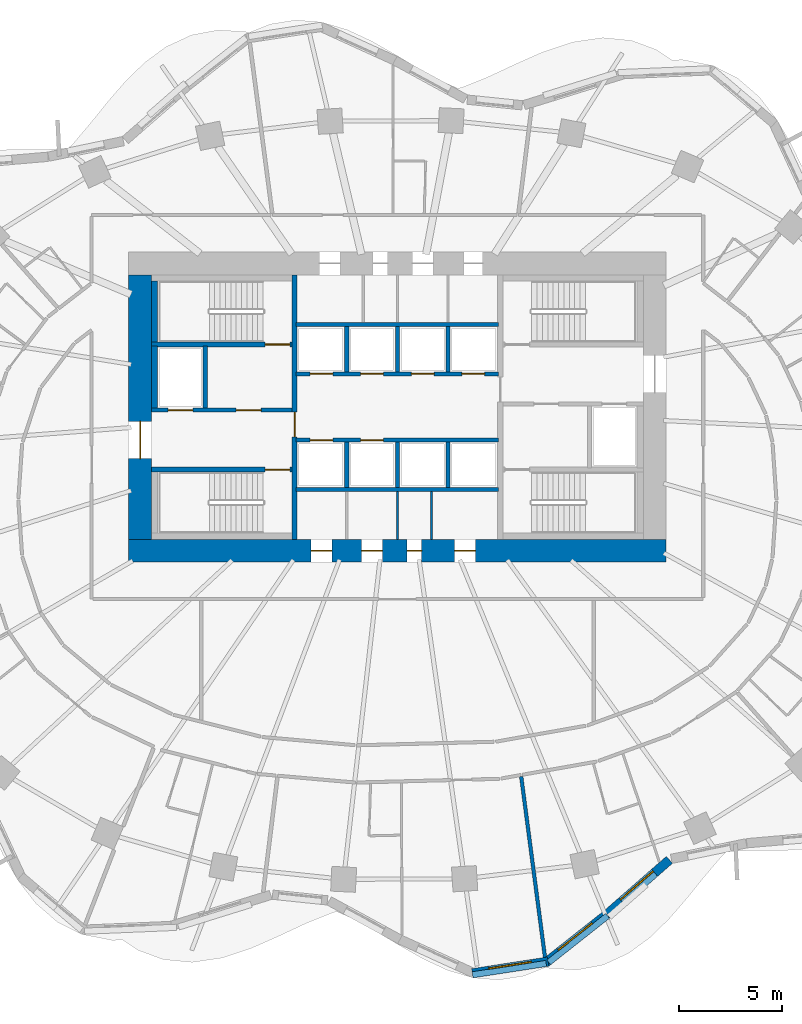
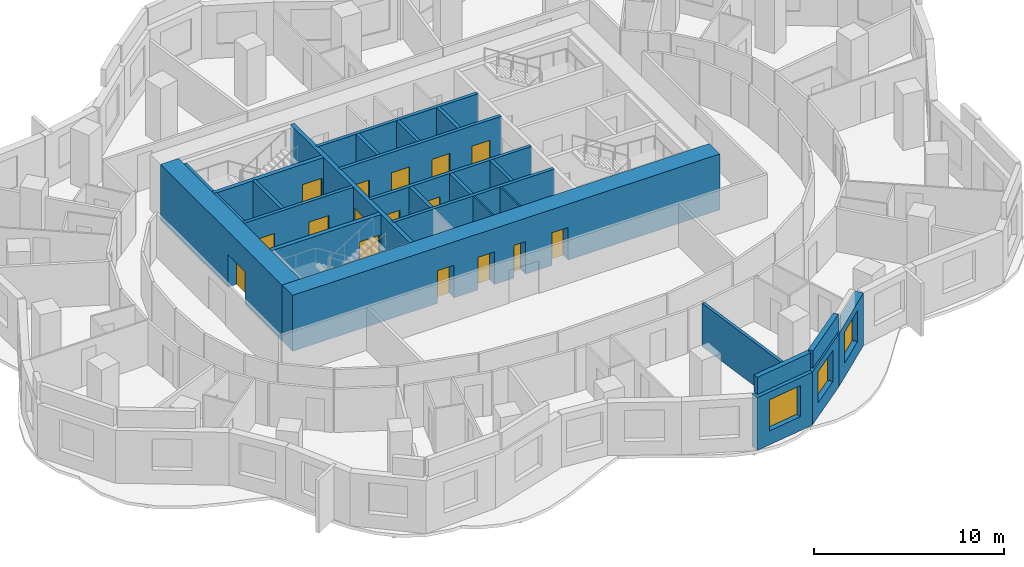
# One storey, part 5 of 11: 27 walls, 16 doors, 3 windows, 19 openings.
"""IFC4 building model written with IfcOpenShell, lengths in metres."""

from ifc_helpers import new_model, si_unit, direction, frame, frame_2d, origin, place, context, subcontext, project, spatial, rectangle, extrude, material, layer, layer_set, type_object, element, fill, save


model = new_model("IFC4")

# Units and contexts
model_context = context("Model", 3, precision=1e-05, world=origin(), true_north=direction((0.0, 1.0)))
body_context = subcontext(model_context, "Body", "Model", "MODEL_VIEW")
ifc_project = project(units=[si_unit("LENGTHUNIT", "METRE"), si_unit("AREAUNIT", "SQUARE_METRE"), si_unit("VOLUMEUNIT", "CUBIC_METRE"), si_unit("PLANEANGLEUNIT", "RADIAN"), si_unit("MASSUNIT", "GRAM", prefix="KILO")], contexts=[model_context])

# Site, building, storey
site_placement = place(None, origin())
site = spatial("IfcSite", under=ifc_project, at=site_placement, CompositionType="ELEMENT")
building_placement = place(site_placement, origin())
building = spatial("IfcBuilding", under=site, at=building_placement, Name="Rubra Terraces Tower", CompositionType="ELEMENT")
storey_placement = place(building_placement, frame((0.0, 0.0, 114.0)))
storey = spatial("IfcBuildingStorey", under=building, at=storey_placement, Name="L27", CompositionType="ELEMENT", Elevation=114.0)

# Wall
ifc_material_1 = material(Name="Twin plasterboard on staggered steel stud, acoustic mineral wool", Category="steel")
ifc_layer_1 = layer(ifc_material_1, 0.175048828125)
ifc_layer_set_1 = layer_set([ifc_layer_1], Name="Twin plasterboard on staggered steel stud, acoustic mineral wool")
wall_type_1 = type_object("IfcWallType", Name="ACOUSTIC PARTY WALL 175", PredefinedType="PARTITIONING", material=ifc_layer_set_1)
wall_1_placement = place(storey_placement, frame((7.1435546875, -22.129638671875, 0.0), z_axis=(0.0, 0.0, 1.0), x_axis=(-0.13045236501, 0.991454578114, 0.0)))
element("IfcWall", 1, at=wall_1_placement, inside=storey, type_object=wall_type_1, Name="PARTITION", PredefinedType="PARTITIONING", context=body_context, shape_type="SweptSolid", body=[
    extrude(rectangle(XDim=8.822265625, YDim=0.175048828125, at=frame_2d((4.4111328125, 0.0))), origin(), (0.0, 0.0, 1.0), 2.783935546875),
])

# Wall, opening, window
ifc_material_2 = material(Name="Brick masonry red-brown", Category="masonry")
ifc_layer_2 = layer(ifc_material_2, 0.449951171875)
ifc_layer_set_2 = layer_set([ifc_layer_2], Name="Brick masonry red-brown")
wall_type_2 = type_object("IfcWallType", Name="Brick facade wall 450", PredefinedType="SOLIDWALL", material=ifc_layer_set_2)
wall_2_placement = place(storey_placement, frame((3.628662109375, -22.904541015625, 0.0), z_axis=(0.0, 0.0, 1.0), x_axis=(0.988300084321, 0.152521943772, 0.0)))
wall_2 = element("IfcWall", 2, at=wall_2_placement, inside=storey, type_object=wall_type_2, Name="Facade wall L27 bay 32", PredefinedType="SOLIDWALL", context=body_context, shape_type="SweptSolid", body=[
    extrude(rectangle(XDim=3.71044921875, YDim=0.449951171875, at=frame_2d((1.855224609375, 0.0))), origin(), (0.0, 0.0, 1.0), 3.39990234375),
])
opening_1_placement = place(wall_2_placement, frame((0.80517578125, 0.0, 0.89990234375)))
opening_1 = element("IfcOpeningElement", 3, at=opening_1_placement, cuts=wall_2, Name="Opening W1", PredefinedType="OPENING", context=body_context, shape_type="SweptSolid", body=[
    extrude(rectangle(XDim=2.10009765625, YDim=2.0, at=frame_2d((1.050048828125, 1.0))), frame((0.0, 0.23486328125, 0.0), z_axis=(0.0, -1.0, 0.0), x_axis=(1.0, 0.0, 0.0)), (0.0, 0.0, 1.0), 0.469970703125),
])
ifc_material_3 = material(Name="Clear glass in aluminium frame", Category="aluminium")
window_type = type_object("IfcWindowType", Name="Fixed deep-set window 2100 x 2000", PartitioningType="SINGLE_PANEL", PredefinedType="WINDOW", material=ifc_material_3)
window_1_placement = place(opening_1_placement, origin())
window_1 = element("IfcWindow", 4, at=window_1_placement, inside=storey, type_object=window_type, Name="Window L27 bay 32", OverallHeight=2.0, OverallWidth=2.10009765625, PartitioningType="SINGLE_PANEL", PredefinedType="WINDOW", context=body_context, shape_type="SweptSolid", body=[
    extrude(rectangle(XDim=2.10009765625, YDim=2.0, at=frame_2d((1.050048828125, 1.0))), frame((0.0, 0.135009765625, 0.0), z_axis=(0.0, -1.0, 0.0), x_axis=(1.0, 0.0, 0.0)), (0.0, 0.0, 1.0), 0.06005859375),
])
fill(opening_1, window_1)

wall_3_placement = place(storey_placement, frame((7.192626953125, -22.3828125, 0.0), z_axis=(0.0, 0.0, 1.0), x_axis=(0.784803291184, 0.619744942816, 0.0)))
wall_3 = element("IfcWall", 5, at=wall_3_placement, inside=storey, type_object=wall_type_2, Name="Facade wall L27 bay 33", PredefinedType="SOLIDWALL", context=body_context, shape_type="SweptSolid", body=[
    extrude(rectangle(XDim=3.774658203125, YDim=0.449951171875, at=frame_2d((1.88720703125, 0.0))), origin(), (0.0, 0.0, 1.0), 3.39990234375),
])
opening_2_placement = place(wall_3_placement, frame((0.83740234375, 0.0, 0.89990234375)))
opening_2 = element("IfcOpeningElement", 6, at=opening_2_placement, cuts=wall_3, Name="Opening W1", PredefinedType="OPENING", context=body_context, shape_type="SweptSolid", body=[
    extrude(rectangle(XDim=2.10009765625, YDim=2.0, at=frame_2d((1.050048828125, 1.0))), frame((0.0, 0.23486328125, 0.0), z_axis=(0.0, -1.0, 0.0), x_axis=(1.0, 0.0, 0.0)), (0.0, 0.0, 1.0), 0.469970703125),
])
window_2_placement = place(opening_2_placement, origin())
window_2 = element("IfcWindow", 7, at=window_2_placement, inside=storey, type_object=window_type, Name="Window L27 bay 33", OverallHeight=2.0, OverallWidth=2.10009765625, PartitioningType="SINGLE_PANEL", PredefinedType="WINDOW", context=body_context, shape_type="SweptSolid", body=[
    extrude(rectangle(XDim=2.10009765625, YDim=2.0, at=frame_2d((1.050048828125, 1.0))), frame((0.0, 0.135009765625, 0.0), z_axis=(0.0, -1.0, 0.0), x_axis=(1.0, 0.0, 0.0)), (0.0, 0.0, 1.0), 0.06005859375),
])
fill(opening_2, window_2)

wall_4_placement = place(storey_placement, frame((10.146484375, -20.050537109375, 0.0), z_axis=(0.0, 0.0, 1.0), x_axis=(0.753278140428, 0.657702093013, 0.0)))
wall_4 = element("IfcWall", 8, at=wall_4_placement, inside=storey, type_object=wall_type_2, Name="Facade wall L27 bay 34", PredefinedType="SOLIDWALL", context=body_context, shape_type="SweptSolid", body=[
    extrude(rectangle(XDim=4.0078125, YDim=0.449951171875, at=frame_2d((2.00390625, 0.0))), origin(), (0.0, 0.0, 1.0), 3.39990234375),
])
opening_3_placement = place(wall_4_placement, frame((0.9541015625, 0.0, 0.89990234375)))
opening_3 = element("IfcOpeningElement", 9, at=opening_3_placement, cuts=wall_4, Name="Opening W1", PredefinedType="OPENING", context=body_context, shape_type="SweptSolid", body=[
    extrude(rectangle(XDim=2.10009765625, YDim=2.0, at=frame_2d((1.050048828125, 1.0))), frame((0.0, 0.23486328125, 0.0), z_axis=(0.0, -1.0, 0.0), x_axis=(1.0, 0.0, 0.0)), (0.0, 0.0, 1.0), 0.469970703125),
])
window_3_placement = place(opening_3_placement, origin())
window_3 = element("IfcWindow", 10, at=window_3_placement, inside=storey, type_object=window_type, Name="Window L27 bay 34", OverallHeight=2.0, OverallWidth=2.10009765625, PartitioningType="SINGLE_PANEL", PredefinedType="WINDOW", context=body_context, shape_type="SweptSolid", body=[
    extrude(rectangle(XDim=2.10009765625, YDim=2.0, at=frame_2d((1.050048828125, 1.0))), frame((0.0, 0.135009765625, 0.0), z_axis=(0.0, -1.0, 0.0), x_axis=(1.0, 0.0, 0.0)), (0.0, 0.0, 1.0), 0.06005859375),
])
fill(opening_3, window_3)

# Walls
ifc_layer_3 = layer(ifc_material_2, 0.300048828125)
ifc_layer_set_3 = layer_set([ifc_layer_3], Name="Brick masonry red-brown")
wall_type_3 = type_object("IfcWallType", Name="Brick parapet 300", PredefinedType="PARAPET", material=ifc_layer_set_3)
wall_5_placement = place(storey_placement, frame((3.64013671875, -22.978759765625, 3.60009765625), z_axis=(0.0, 0.0, 1.0), x_axis=(0.988299486994, 0.152525814235, 0.0)))
element("IfcWall", 11, at=wall_5_placement, inside=storey, type_object=wall_type_3, Name="Parapet L27 bay 32", PredefinedType="PARAPET", context=body_context, shape_type="SweptSolid", body=[
    extrude(rectangle(XDim=3.6015625, YDim=0.300048828125, at=frame_2d((1.80078125, 0.0))), origin(), (0.0, 0.0, 1.0), 1.099853515625),
])
wall_6_placement = place(storey_placement, frame((7.322509765625, -22.375732421875, 3.60009765625), z_axis=(0.0, 0.0, 1.0), x_axis=(0.784819122577, 0.61972489448, 0.0)))
element("IfcWall", 12, at=wall_6_placement, inside=storey, type_object=wall_type_3, Name="Parapet L27 bay 33", PredefinedType="PARAPET", context=body_context, shape_type="SweptSolid", body=[
    extrude(rectangle(XDim=3.63330078125, YDim=0.300048828125, at=frame_2d((1.816650390625, 0.0))), origin(), (0.0, 0.0, 1.0), 1.099853515625),
])

# Wall, openings, doors
ifc_material_4 = material(Name="Concrete C60", Category="concrete")
ifc_layer_4 = layer(ifc_material_4, 1.10009765625)
ifc_layer_set_4 = layer_set([ifc_layer_4], Name="Concrete C60")
wall_type_4 = type_object("IfcWallType", Name="CORE WALL 1100 C60", PredefinedType="SHEAR", material=ifc_layer_set_4)
wall_7_placement = place(storey_placement, frame((-13.0, -2.449951171875, 0.0), z_axis=(0.0, 0.0, 1.0), x_axis=(1.0, 0.0, 0.0)))
wall_7 = element("IfcWall", 13, at=wall_7_placement, inside=storey, type_object=wall_type_4, Name="CORE WALL S L27", PredefinedType="SHEAR", context=body_context, shape_type="SweptSolid", body=[
    extrude(rectangle(XDim=26.0, YDim=1.10009765625, at=frame_2d((13.0, 0.0))), origin(), (0.0, 0.0, 1.0), 3.60009765625),
])
opening_4_placement = place(wall_7_placement, frame((8.824951171875, 0.0, 0.0)))
opening_4 = element("IfcOpeningElement", 14, at=opening_4_placement, cuts=wall_7, Name="Opening L27.C19", PredefinedType="OPENING", context=body_context, shape_type="SweptSolid", body=[
    extrude(rectangle(XDim=1.0, YDim=2.10009765625, at=frame_2d((0.5, 1.050048828125))), frame((0.0, 0.56005859375, 0.0), z_axis=(0.0, -1.0, 0.0), x_axis=(1.0, 0.0, 0.0)), (0.0, 0.0, 1.0), 1.1201171875),
])
opening_5_placement = place(wall_7_placement, frame((11.27490234375, 0.0, 0.0)))
opening_5 = element("IfcOpeningElement", 15, at=opening_5_placement, cuts=wall_7, Name="Opening L27.C20", PredefinedType="OPENING", context=body_context, shape_type="SweptSolid", body=[
    extrude(rectangle(XDim=1.0, YDim=2.10009765625, at=frame_2d((0.5, 1.050048828125))), frame((0.0, 0.56005859375, 0.0), z_axis=(0.0, -1.0, 0.0), x_axis=(1.0, 0.0, 0.0)), (0.0, 0.0, 1.0), 1.1201171875),
])
opening_6_placement = place(wall_7_placement, frame((13.47509765625, 0.0, 0.0)))
opening_6 = element("IfcOpeningElement", 16, at=opening_6_placement, cuts=wall_7, Name="Opening L27.C21", PredefinedType="OPENING", context=body_context, shape_type="SweptSolid", body=[
    extrude(rectangle(XDim=0.699951171875, YDim=2.10009765625, at=frame_2d((0.35009765625, 1.050048828125))), frame((0.0, 0.56005859375, 0.0), z_axis=(0.0, -1.0, 0.0), x_axis=(1.0, 0.0, 0.0)), (0.0, 0.0, 1.0), 1.1201171875),
])
opening_7_placement = place(wall_7_placement, frame((15.77490234375, 0.0, 0.0)))
opening_7 = element("IfcOpeningElement", 17, at=opening_7_placement, cuts=wall_7, Name="Opening L27.C22", PredefinedType="OPENING", context=body_context, shape_type="SweptSolid", body=[
    extrude(rectangle(XDim=1.0, YDim=2.10009765625, at=frame_2d((0.5, 1.050048828125))), frame((0.0, 0.56005859375, 0.0), z_axis=(0.0, -1.0, 0.0), x_axis=(1.0, 0.0, 0.0)), (0.0, 0.0, 1.0), 1.1201171875),
])
ifc_material_5 = material(Name="Painted steel", Category="steel")
door_type_1 = type_object("IfcDoorType", Name="Fire door 1000x2100 single", OperationType="NOTDEFINED", PredefinedType="DOOR", material=ifc_material_5)
door_1_placement = place(opening_4_placement, origin())
door_1 = element("IfcDoor", 18, at=door_1_placement, inside=storey, type_object=door_type_1, Name="Guest pantry door", OperationType="SINGLE_SWING_LEFT", OverallHeight=2.10009765625, OverallWidth=1.0, PredefinedType="DOOR", context=body_context, shape_type="SweptSolid", body=[
    extrude(rectangle(XDim=1.0, YDim=2.10009765625, at=frame_2d((0.5, 1.050048828125))), frame((0.0, 0.02490234375, 0.0), z_axis=(0.0, -1.0, 0.0), x_axis=(1.0, 0.0, 0.0)), (0.0, 0.0, 1.0), 0.050048828125),
])
fill(opening_4, door_1)
door_2_placement = place(opening_5_placement, origin())
door_2 = element("IfcDoor", 19, at=door_2_placement, inside=storey, type_object=door_type_1, Name="Linen store door", OperationType="SINGLE_SWING_RIGHT", OverallHeight=2.10009765625, OverallWidth=1.0, PredefinedType="DOOR", context=body_context, shape_type="SweptSolid", body=[
    extrude(rectangle(XDim=1.0, YDim=2.10009765625, at=frame_2d((0.5, 1.050048828125))), frame((0.0, 0.02490234375, 0.0), z_axis=(0.0, -1.0, 0.0), x_axis=(1.0, 0.0, 0.0)), (0.0, 0.0, 1.0), 0.050048828125),
])
fill(opening_5, door_2)
door_3_placement = place(opening_7_placement, origin())
door_3 = element("IfcDoor", 20, at=door_3_placement, inside=storey, type_object=door_type_1, Name="Housekeeping store door", OperationType="SINGLE_SWING_RIGHT", OverallHeight=2.10009765625, OverallWidth=1.0, PredefinedType="DOOR", context=body_context, shape_type="SweptSolid", body=[
    extrude(rectangle(XDim=1.0, YDim=2.10009765625, at=frame_2d((0.5, 1.050048828125))), frame((0.0, 0.02490234375, 0.0), z_axis=(0.0, -1.0, 0.0), x_axis=(1.0, 0.0, 0.0)), (0.0, 0.0, 1.0), 0.050048828125),
])
fill(opening_7, door_3)
door_type_2 = type_object("IfcDoorType", Name="Riser access door 700x2100 single", OperationType="NOTDEFINED", PredefinedType="DOOR", material=ifc_material_5)
door_4_placement = place(opening_6_placement, origin())
door_4 = element("IfcDoor", 21, at=door_4_placement, inside=storey, type_object=door_type_2, Name="Electrical riser room door", OperationType="SINGLE_SWING_LEFT", OverallHeight=2.10009765625, OverallWidth=0.699951171875, PredefinedType="DOOR", context=body_context, shape_type="SweptSolid", body=[
    extrude(rectangle(XDim=0.699951171875, YDim=2.10009765625, at=frame_2d((0.35009765625, 1.050048828125))), frame((0.0, 0.02490234375, 0.0), z_axis=(0.0, -1.0, 0.0), x_axis=(1.0, 0.0, 0.0)), (0.0, 0.0, 1.0), 0.050048828125),
])
fill(opening_6, door_4)

# Wall, opening, door
wall_8_placement = place(storey_placement, frame((-12.449951171875, -1.89990234375, 0.0), z_axis=(0.0, 0.0, 1.0), x_axis=(0.0, 1.0, 0.0)))
wall_8 = element("IfcWall", 22, at=wall_8_placement, inside=storey, type_object=wall_type_4, Name="CORE WALL W L27", PredefinedType="SHEAR", context=body_context, shape_type="SweptSolid", body=[
    extrude(rectangle(XDim=12.7998046875, YDim=1.10009765625, at=frame_2d((6.39990234375, 0.0))), origin(), (0.0, 0.0, 1.0), 3.60009765625),
])
opening_8_placement = place(wall_8_placement, frame((3.89990234375, 0.0, 0.0)))
opening_8 = element("IfcOpeningElement", 23, at=opening_8_placement, cuts=wall_8, Name="Opening L27.C01", PredefinedType="OPENING", context=body_context, shape_type="SweptSolid", body=[
    extrude(rectangle(XDim=1.800048828125, YDim=2.10009765625, at=frame_2d((0.89990234375, 1.050048828125))), frame((0.0, 0.56005859375, 0.0), z_axis=(0.0, -1.0, 0.0), x_axis=(1.0, 0.0, 0.0)), (0.0, 0.0, 1.0), 1.1201171875),
])
door_type_3 = type_object("IfcDoorType", Name="Fire door 1800x2100 double", OperationType="NOTDEFINED", PredefinedType="DOOR", material=ifc_material_5)
door_5_placement = place(opening_8_placement, origin())
door_5 = element("IfcDoor", 24, at=door_5_placement, inside=storey, type_object=door_type_3, Name="Core entrance door FF1", OperationType="DOUBLE_DOOR_SINGLE_SWING", OverallHeight=2.10009765625, OverallWidth=1.800048828125, PredefinedType="DOOR", context=body_context, shape_type="SweptSolid", body=[
    extrude(rectangle(XDim=1.800048828125, YDim=2.10009765625, at=frame_2d((0.89990234375, 1.050048828125))), frame((0.0, 0.02490234375, 0.0), z_axis=(0.0, -1.0, 0.0), x_axis=(1.0, 0.0, 0.0)), (0.0, 0.0, 1.0), 0.050048828125),
])
fill(opening_8, door_5)

# Walls
ifc_material_6 = material(Name="Concrete C40", Category="concrete")
ifc_layer_5 = layer(ifc_material_6, 0.300048828125)
ifc_layer_set_5 = layer_set([ifc_layer_5], Name="Concrete C40")
wall_type_5 = type_object("IfcWallType", Name="Core lining wall 300 concrete", PredefinedType="SOLIDWALL", material=ifc_layer_set_5)
wall_9_placement = place(storey_placement, frame((-11.75, 4.449951171875, 0.0), z_axis=(0.0, 0.0, 1.0), x_axis=(0.0, 1.0, 0.0)))
element("IfcWall", 25, at=wall_9_placement, inside=storey, type_object=wall_type_5, Name="CORE LINING WALL L27", PredefinedType="SOLIDWALL", context=body_context, shape_type="SweptSolid", body=[
    extrude(rectangle(XDim=3.0, YDim=0.300048828125, at=frame_2d((1.5, 0.0))), origin(), (0.0, 0.0, 1.0), 3.39990234375),
])
wall_10_placement = place(storey_placement, frame((-11.75, 7.64990234375, 0.0), z_axis=(0.0, 0.0, 1.0), x_axis=(0.0, 1.0, 0.0)))
element("IfcWall", 26, at=wall_10_placement, inside=storey, type_object=wall_type_5, Name="CORE LINING WALL L27", PredefinedType="SOLIDWALL", context=body_context, shape_type="SweptSolid", body=[
    extrude(rectangle(XDim=2.9501953125, YDim=0.300048828125, at=frame_2d((1.47509765625, 0.0))), origin(), (0.0, 0.0, 1.0), 3.39990234375),
])

# Wall, openings, doors
ifc_material_7 = material(Name="Concrete C30", Category="concrete")
ifc_layer_6 = layer(ifc_material_7, 0.199951171875)
ifc_layer_set_6 = layer_set([ifc_layer_6], Name="Concrete C30")
wall_type_6 = type_object("IfcWallType", Name="Core wall 200 concrete", PredefinedType="SOLIDWALL", material=ifc_layer_set_6)
wall_11_placement = place(storey_placement, frame((-11.89990234375, 4.35009765625, 0.0), z_axis=(0.0, 0.0, 1.0), x_axis=(1.0, 0.0, 0.0)))
wall_11 = element("IfcWall", 27, at=wall_11_placement, inside=storey, type_object=wall_type_6, Name="STAIR WALL L27", PredefinedType="SOLIDWALL", context=body_context, shape_type="SweptSolid", body=[
    extrude(rectangle(XDim=6.7998046875, YDim=0.199951171875, at=frame_2d((3.39990234375, 0.0))), origin(), (0.0, 0.0, 1.0), 3.39990234375),
])
opening_9_placement = place(wall_11_placement, frame((4.10009765625, 0.0, 0.0)))
opening_9 = element("IfcOpeningElement", 28, at=opening_9_placement, cuts=wall_11, Name="Opening L27.C05", PredefinedType="OPENING", context=body_context, shape_type="SweptSolid", body=[
    extrude(rectangle(XDim=1.199951171875, YDim=2.10009765625, at=frame_2d((0.60009765625, 1.050048828125))), frame((0.0, 0.10986328125, 0.0), z_axis=(0.0, -1.0, 0.0), x_axis=(1.0, 0.0, 0.0)), (0.0, 0.0, 1.0), 0.219970703125),
])
opening_10_placement = place(wall_11_placement, frame((0.800048828125, 0.0, 0.0)))
opening_10 = element("IfcOpeningElement", 29, at=opening_10_placement, cuts=wall_11, Name="Opening L27.C11", PredefinedType="OPENING", context=body_context, shape_type="SweptSolid", body=[
    extrude(rectangle(XDim=1.199951171875, YDim=2.10009765625, at=frame_2d((0.60009765625, 1.050048828125))), frame((0.0, 0.10986328125, 0.0), z_axis=(0.0, -1.0, 0.0), x_axis=(1.0, 0.0, 0.0)), (0.0, 0.0, 1.0), 0.219970703125),
])
door_type_4 = type_object("IfcDoorType", Name="Fire door 1200x2100 single", OperationType="NOTDEFINED", PredefinedType="DOOR", material=ifc_material_5)
door_6_placement = place(opening_9_placement, origin())
door_6 = element("IfcDoor", 30, at=door_6_placement, inside=storey, type_object=door_type_4, Name="Stair vestibule door S2", OperationType="SINGLE_SWING_LEFT", OverallHeight=2.10009765625, OverallWidth=1.199951171875, PredefinedType="DOOR", context=body_context, shape_type="SweptSolid", body=[
    extrude(rectangle(XDim=1.199951171875, YDim=2.10009765625, at=frame_2d((0.60009765625, 1.050048828125))), frame((0.0, 0.02490234375, 0.0), z_axis=(0.0, -1.0, 0.0), x_axis=(1.0, 0.0, 0.0)), (0.0, 0.0, 1.0), 0.050048828125),
])
fill(opening_9, door_6)
ifc_material_8 = material(Name="Stainless steel", Category="steel")
door_type_5 = type_object("IfcDoorType", Name="Lift landing door 1200x2100", OperationType="NOTDEFINED", PredefinedType="DOOR", material=ifc_material_8)
door_7_placement = place(opening_10_placement, origin())
door_7 = element("IfcDoor", 31, at=door_7_placement, inside=storey, type_object=door_type_5, Name="Landing door FF1", OperationType="SLIDING_TO_RIGHT", OverallHeight=2.10009765625, OverallWidth=1.199951171875, PredefinedType="DOOR", context=body_context, shape_type="SweptSolid", body=[
    extrude(rectangle(XDim=1.199951171875, YDim=2.10009765625, at=frame_2d((0.60009765625, 1.050048828125))), frame((0.0, 0.02490234375, 0.0), z_axis=(0.0, -1.0, 0.0), x_axis=(1.0, 0.0, 0.0)), (0.0, 0.0, 1.0), 0.050048828125),
])
fill(opening_10, door_7)

# Walls
wall_12_placement = place(storey_placement, frame((-9.300048828125, 4.449951171875, 0.0), z_axis=(0.0, 0.0, 1.0), x_axis=(0.0, 1.0, 0.0)))
element("IfcWall", 32, at=wall_12_placement, inside=storey, type_object=wall_type_6, Name="STAIR WALL L27", PredefinedType="SOLIDWALL", context=body_context, shape_type="SweptSolid", body=[
    extrude(rectangle(XDim=3.0, YDim=0.199951171875, at=frame_2d((1.5, 0.0))), origin(), (0.0, 0.0, 1.0), 3.39990234375),
])
wall_13_placement = place(storey_placement, frame((-4.89990234375, 0.5, 0.0), z_axis=(0.0, 0.0, 1.0), x_axis=(1.0, 0.0, 0.0)))
element("IfcWall", 33, at=wall_13_placement, inside=storey, type_object=wall_type_6, Name="LIFT SHAFT WALL L27", PredefinedType="SOLIDWALL", context=body_context, shape_type="SweptSolid", body=[
    extrude(rectangle(XDim=9.7998046875, YDim=0.199951171875, at=frame_2d((4.89990234375, 0.0))), origin(), (0.0, 0.0, 1.0), 3.39990234375),
])

# Wall, openings, doors
wall_14_placement = place(storey_placement, frame((-4.89990234375, 2.89990234375, 0.0), z_axis=(0.0, 0.0, 1.0), x_axis=(1.0, 0.0, 0.0)))
wall_14 = element("IfcWall", 34, at=wall_14_placement, inside=storey, type_object=wall_type_6, Name="LIFT SHAFT WALL L27", PredefinedType="SOLIDWALL", context=body_context, shape_type="SweptSolid", body=[
    extrude(rectangle(XDim=9.7998046875, YDim=0.199951171875, at=frame_2d((4.89990234375, 0.0))), origin(), (0.0, 0.0, 1.0), 3.39990234375),
])
opening_11_placement = place(wall_14_placement, frame((0.675048828125, 0.0, 0.0)))
opening_11 = element("IfcOpeningElement", 35, at=opening_11_placement, cuts=wall_14, Name="Opening L27.C13", PredefinedType="OPENING", context=body_context, shape_type="SweptSolid", body=[
    extrude(rectangle(XDim=1.10009765625, YDim=2.10009765625, at=frame_2d((0.550048828125, 1.050048828125))), frame((0.0, 0.10986328125, 0.0), z_axis=(0.0, -1.0, 0.0), x_axis=(1.0, 0.0, 0.0)), (0.0, 0.0, 1.0), 0.219970703125),
])
opening_12_placement = place(wall_14_placement, frame((3.125, 0.0, 0.0)))
opening_12 = element("IfcOpeningElement", 36, at=opening_12_placement, cuts=wall_14, Name="Opening L27.C14", PredefinedType="OPENING", context=body_context, shape_type="SweptSolid", body=[
    extrude(rectangle(XDim=1.10009765625, YDim=2.10009765625, at=frame_2d((0.550048828125, 1.050048828125))), frame((0.0, 0.10986328125, 0.0), z_axis=(0.0, -1.0, 0.0), x_axis=(1.0, 0.0, 0.0)), (0.0, 0.0, 1.0), 0.219970703125),
])
door_type_6 = type_object("IfcDoorType", Name="Lift landing door 1100x2100", OperationType="NOTDEFINED", PredefinedType="DOOR", material=ifc_material_8)
door_8_placement = place(opening_11_placement, origin())
door_8 = element("IfcDoor", 37, at=door_8_placement, inside=storey, type_object=door_type_6, Name="Landing door LB1", OperationType="SLIDING_TO_RIGHT", OverallHeight=2.10009765625, OverallWidth=1.10009765625, PredefinedType="DOOR", context=body_context, shape_type="SweptSolid", body=[
    extrude(rectangle(XDim=1.10009765625, YDim=2.10009765625, at=frame_2d((0.550048828125, 1.050048828125))), frame((0.0, 0.02490234375, 0.0), z_axis=(0.0, -1.0, 0.0), x_axis=(1.0, 0.0, 0.0)), (0.0, 0.0, 1.0), 0.050048828125),
])
fill(opening_11, door_8)
door_9_placement = place(opening_12_placement, origin())
door_9 = element("IfcDoor", 38, at=door_9_placement, inside=storey, type_object=door_type_6, Name="Landing door LB2", OperationType="SLIDING_TO_LEFT", OverallHeight=2.10009765625, OverallWidth=1.10009765625, PredefinedType="DOOR", context=body_context, shape_type="SweptSolid", body=[
    extrude(rectangle(XDim=1.10009765625, YDim=2.10009765625, at=frame_2d((0.550048828125, 1.050048828125))), frame((0.0, 0.02490234375, 0.0), z_axis=(0.0, -1.0, 0.0), x_axis=(1.0, 0.0, 0.0)), (0.0, 0.0, 1.0), 0.050048828125),
])
fill(opening_12, door_9)

wall_15_placement = place(storey_placement, frame((-4.89990234375, 6.10009765625, 0.0), z_axis=(0.0, 0.0, 1.0), x_axis=(1.0, 0.0, 0.0)))
wall_15 = element("IfcWall", 39, at=wall_15_placement, inside=storey, type_object=wall_type_6, Name="LIFT SHAFT WALL L27", PredefinedType="SOLIDWALL", context=body_context, shape_type="SweptSolid", body=[
    extrude(rectangle(XDim=9.7998046875, YDim=0.199951171875, at=frame_2d((4.89990234375, 0.0))), origin(), (0.0, 0.0, 1.0), 3.39990234375),
])
opening_13_placement = place(wall_15_placement, frame((0.675048828125, 0.0, 0.0)))
opening_13 = element("IfcOpeningElement", 40, at=opening_13_placement, cuts=wall_15, Name="Opening L27.C15", PredefinedType="OPENING", context=body_context, shape_type="SweptSolid", body=[
    extrude(rectangle(XDim=1.10009765625, YDim=2.10009765625, at=frame_2d((0.550048828125, 1.050048828125))), frame((0.0, 0.10986328125, 0.0), z_axis=(0.0, -1.0, 0.0), x_axis=(1.0, 0.0, 0.0)), (0.0, 0.0, 1.0), 0.219970703125),
])
opening_14_placement = place(wall_15_placement, frame((3.125, 0.0, 0.0)))
opening_14 = element("IfcOpeningElement", 41, at=opening_14_placement, cuts=wall_15, Name="Opening L27.C16", PredefinedType="OPENING", context=body_context, shape_type="SweptSolid", body=[
    extrude(rectangle(XDim=1.10009765625, YDim=2.10009765625, at=frame_2d((0.550048828125, 1.050048828125))), frame((0.0, 0.10986328125, 0.0), z_axis=(0.0, -1.0, 0.0), x_axis=(1.0, 0.0, 0.0)), (0.0, 0.0, 1.0), 0.219970703125),
])
opening_15_placement = place(wall_15_placement, frame((5.574951171875, 0.0, 0.0)))
opening_15 = element("IfcOpeningElement", 42, at=opening_15_placement, cuts=wall_15, Name="Opening L27.C17", PredefinedType="OPENING", context=body_context, shape_type="SweptSolid", body=[
    extrude(rectangle(XDim=1.10009765625, YDim=2.10009765625, at=frame_2d((0.550048828125, 1.050048828125))), frame((0.0, 0.10986328125, 0.0), z_axis=(0.0, -1.0, 0.0), x_axis=(1.0, 0.0, 0.0)), (0.0, 0.0, 1.0), 0.219970703125),
])
opening_16_placement = place(wall_15_placement, frame((8.02490234375, 0.0, 0.0)))
opening_16 = element("IfcOpeningElement", 43, at=opening_16_placement, cuts=wall_15, Name="Opening L27.C18", PredefinedType="OPENING", context=body_context, shape_type="SweptSolid", body=[
    extrude(rectangle(XDim=1.10009765625, YDim=2.10009765625, at=frame_2d((0.550048828125, 1.050048828125))), frame((0.0, 0.10986328125, 0.0), z_axis=(0.0, -1.0, 0.0), x_axis=(1.0, 0.0, 0.0)), (0.0, 0.0, 1.0), 0.219970703125),
])
door_10_placement = place(opening_13_placement, origin())
door_10 = element("IfcDoor", 44, at=door_10_placement, inside=storey, type_object=door_type_6, Name="Landing door LB3", OperationType="SLIDING_TO_RIGHT", OverallHeight=2.10009765625, OverallWidth=1.10009765625, PredefinedType="DOOR", context=body_context, shape_type="SweptSolid", body=[
    extrude(rectangle(XDim=1.10009765625, YDim=2.10009765625, at=frame_2d((0.550048828125, 1.050048828125))), frame((0.0, 0.02490234375, 0.0), z_axis=(0.0, -1.0, 0.0), x_axis=(1.0, 0.0, 0.0)), (0.0, 0.0, 1.0), 0.050048828125),
])
fill(opening_13, door_10)
door_11_placement = place(opening_14_placement, origin())
door_11 = element("IfcDoor", 45, at=door_11_placement, inside=storey, type_object=door_type_6, Name="Landing door LB4", OperationType="SLIDING_TO_LEFT", OverallHeight=2.10009765625, OverallWidth=1.10009765625, PredefinedType="DOOR", context=body_context, shape_type="SweptSolid", body=[
    extrude(rectangle(XDim=1.10009765625, YDim=2.10009765625, at=frame_2d((0.550048828125, 1.050048828125))), frame((0.0, 0.02490234375, 0.0), z_axis=(0.0, -1.0, 0.0), x_axis=(1.0, 0.0, 0.0)), (0.0, 0.0, 1.0), 0.050048828125),
])
fill(opening_14, door_11)
door_12_placement = place(opening_15_placement, origin())
door_12 = element("IfcDoor", 46, at=door_12_placement, inside=storey, type_object=door_type_6, Name="Landing door LB5", OperationType="SLIDING_TO_RIGHT", OverallHeight=2.10009765625, OverallWidth=1.10009765625, PredefinedType="DOOR", context=body_context, shape_type="SweptSolid", body=[
    extrude(rectangle(XDim=1.10009765625, YDim=2.10009765625, at=frame_2d((0.550048828125, 1.050048828125))), frame((0.0, 0.02490234375, 0.0), z_axis=(0.0, -1.0, 0.0), x_axis=(1.0, 0.0, 0.0)), (0.0, 0.0, 1.0), 0.050048828125),
])
fill(opening_15, door_12)
door_13_placement = place(opening_16_placement, origin())
door_13 = element("IfcDoor", 47, at=door_13_placement, inside=storey, type_object=door_type_6, Name="Landing door LB6", OperationType="SLIDING_TO_LEFT", OverallHeight=2.10009765625, OverallWidth=1.10009765625, PredefinedType="DOOR", context=body_context, shape_type="SweptSolid", body=[
    extrude(rectangle(XDim=1.10009765625, YDim=2.10009765625, at=frame_2d((0.550048828125, 1.050048828125))), frame((0.0, 0.02490234375, 0.0), z_axis=(0.0, -1.0, 0.0), x_axis=(1.0, 0.0, 0.0)), (0.0, 0.0, 1.0), 0.050048828125),
])
fill(opening_16, door_13)

# Walls
wall_16_placement = place(storey_placement, frame((-4.89990234375, 8.5, 0.0), z_axis=(0.0, 0.0, 1.0), x_axis=(1.0, 0.0, 0.0)))
element("IfcWall", 48, at=wall_16_placement, inside=storey, type_object=wall_type_6, Name="LIFT SHAFT WALL L27", PredefinedType="SOLIDWALL", context=body_context, shape_type="SweptSolid", body=[
    extrude(rectangle(XDim=9.7998046875, YDim=0.199951171875, at=frame_2d((4.89990234375, 0.0))), origin(), (0.0, 0.0, 1.0), 3.39990234375),
])
for number, where, z_axis, x_axis, name in (
    (49, (-2.449951171875, 0.60009765625, 0.0), (0.0, 0.0, 1.0), (0.0, 1.0, 0.0), "LIFT SHAFT WALL L27"),
    (50, (0.0, 0.60009765625, 0.0), (0.0, 0.0, 1.0), (0.0, 1.0, 0.0), "LIFT SHAFT WALL L27"),
    (51, (2.449951171875, 0.60009765625, 0.0), (0.0, 0.0, 1.0), (0.0, 1.0, 0.0), "LIFT SHAFT WALL L27"),
    (52, (-2.449951171875, 6.199951171875, 0.0), (0.0, 0.0, 1.0), (0.0, 1.0, 0.0), "LIFT SHAFT WALL L27"),
    (53, (0.0, 6.199951171875, 0.0), (0.0, 0.0, 1.0), (0.0, 1.0, 0.0), "LIFT SHAFT WALL L27"),
    (54, (2.449951171875, 6.199951171875, 0.0), (0.0, 0.0, 1.0), (0.0, 1.0, 0.0), "LIFT SHAFT WALL L27"),
):
    element("IfcWall", number, at=place(storey_placement, frame(where, z_axis=z_axis, x_axis=x_axis)), inside=storey, type_object=wall_type_6, Name=name, PredefinedType="SOLIDWALL", context=body_context, shape_type="SweptSolid", body=[
        extrude(rectangle(XDim=2.199951171875, YDim=0.199951171875, at=frame_2d((1.10009765625, 0.0))), origin(), (0.0, 0.0, 1.0), 3.39990234375),
    ])
ifc_material_9 = material(Name="Blockwork", Category="masonry")
ifc_layer_7 = layer(ifc_material_9, 0.10009765625)
ifc_layer_set_7 = layer_set([ifc_layer_7], Name="Blockwork")
wall_type_7 = type_object("IfcWallType", Name="Service partition 100 blockwork", PredefinedType="PARTITIONING", material=ifc_layer_set_7)
for number, where, z_axis, x_axis, name in (
    (55, (0.0, -1.89990234375, 0.0), (0.0, 0.0, 1.0), (0.0, 1.0, 0.0), "SERVICE ROOM PARTITION L27"),
    (56, (1.64990234375, -1.89990234375, 0.0), (0.0, 0.0, 1.0), (0.0, 1.0, 0.0), "SERVICE ROOM PARTITION L27"),
):
    element("IfcWall", number, at=place(storey_placement, frame(where, z_axis=z_axis, x_axis=x_axis)), inside=storey, type_object=wall_type_7, Name=name, PredefinedType="PARTITIONING", context=body_context, shape_type="SweptSolid", body=[
        extrude(rectangle(XDim=2.2998046875, YDim=0.10009765625, at=frame_2d((1.14990234375, 0.0))), origin(), (0.0, 0.0, 1.0), 3.39990234375),
    ])

# Wall, opening, door
ifc_layer_8 = layer(ifc_material_6, 0.25)
ifc_layer_set_8 = layer_set([ifc_layer_8], Name="Concrete C40")
wall_type_8 = type_object("IfcWallType", Name="Stair enclosure wall 250 concrete", PredefinedType="SOLIDWALL", material=ifc_layer_set_8)
wall_17_placement = place(storey_placement, frame((-11.89990234375, 1.47509765625, 0.0), z_axis=(0.0, 0.0, 1.0), x_axis=(1.0, 0.0, 0.0)))
wall_17 = element("IfcWall", 57, at=wall_17_placement, inside=storey, type_object=wall_type_8, Name="STAIR WALL L27", PredefinedType="SOLIDWALL", context=body_context, shape_type="SweptSolid", body=[
    extrude(rectangle(XDim=6.7998046875, YDim=0.25, at=frame_2d((3.39990234375, 0.0))), origin(), (0.0, 0.0, 1.0), 3.39990234375),
])
opening_17_placement = place(wall_17_placement, frame((5.5, 0.0, 0.0)))
opening_17 = element("IfcOpeningElement", 58, at=opening_17_placement, cuts=wall_17, Name="Opening L27.C07", PredefinedType="OPENING", context=body_context, shape_type="SweptSolid", body=[
    extrude(rectangle(XDim=1.199951171875, YDim=2.10009765625, at=frame_2d((0.60009765625, 1.050048828125))), frame((0.0, 0.135009765625, 0.0), z_axis=(0.0, -1.0, 0.0), x_axis=(1.0, 0.0, 0.0)), (0.0, 0.0, 1.0), 0.27001953125),
])
door_14_placement = place(opening_17_placement, origin())
door_14 = element("IfcDoor", 59, at=door_14_placement, inside=storey, type_object=door_type_4, Name="Stair door S1", OperationType="SINGLE_SWING_LEFT", OverallHeight=2.10009765625, OverallWidth=1.199951171875, PredefinedType="DOOR", context=body_context, shape_type="SweptSolid", body=[
    extrude(rectangle(XDim=1.199951171875, YDim=2.10009765625, at=frame_2d((0.60009765625, 1.050048828125))), frame((0.0, 0.02490234375, 0.0), z_axis=(0.0, -1.0, 0.0), x_axis=(1.0, 0.0, 0.0)), (0.0, 0.0, 1.0), 0.050048828125),
])
fill(opening_17, door_14)

wall_18_placement = place(storey_placement, frame((-11.89990234375, 7.52490234375, 0.0), z_axis=(0.0, 0.0, 1.0), x_axis=(1.0, 0.0, 0.0)))
wall_18 = element("IfcWall", 60, at=wall_18_placement, inside=storey, type_object=wall_type_8, Name="STAIR WALL L27", PredefinedType="SOLIDWALL", context=body_context, shape_type="SweptSolid", body=[
    extrude(rectangle(XDim=6.7998046875, YDim=0.25, at=frame_2d((3.39990234375, 0.0))), origin(), (0.0, 0.0, 1.0), 3.39990234375),
])
opening_18_placement = place(wall_18_placement, frame((5.5, 0.0, 0.0)))
opening_18 = element("IfcOpeningElement", 61, at=opening_18_placement, cuts=wall_18, Name="Opening L27.C09", PredefinedType="OPENING", context=body_context, shape_type="SweptSolid", body=[
    extrude(rectangle(XDim=1.199951171875, YDim=2.10009765625, at=frame_2d((0.60009765625, 1.050048828125))), frame((0.0, 0.135009765625, 0.0), z_axis=(0.0, -1.0, 0.0), x_axis=(1.0, 0.0, 0.0)), (0.0, 0.0, 1.0), 0.27001953125),
])
door_15_placement = place(opening_18_placement, origin())
door_15 = element("IfcDoor", 62, at=door_15_placement, inside=storey, type_object=door_type_4, Name="Stair door S2", OperationType="SINGLE_SWING_LEFT", OverallHeight=2.10009765625, OverallWidth=1.199951171875, PredefinedType="DOOR", context=body_context, shape_type="SweptSolid", body=[
    extrude(rectangle(XDim=1.199951171875, YDim=2.10009765625, at=frame_2d((0.60009765625, 1.050048828125))), frame((0.0, 0.02490234375, 0.0), z_axis=(0.0, -1.0, 0.0), x_axis=(1.0, 0.0, 0.0)), (0.0, 0.0, 1.0), 0.050048828125),
])
fill(opening_18, door_15)

wall_19_placement = place(storey_placement, frame((-4.97509765625, -1.89990234375, 0.0), z_axis=(0.0, 0.0, 1.0), x_axis=(0.0, 1.0, 0.0)))
wall_19 = element("IfcWall", 63, at=wall_19_placement, inside=storey, type_object=wall_type_8, Name="CORE LOBBY WALL L27", PredefinedType="SOLIDWALL", context=body_context, shape_type="SweptSolid", body=[
    extrude(rectangle(XDim=12.7998046875, YDim=0.25, at=frame_2d((6.39990234375, 0.0))), origin(), (0.0, 0.0, 1.0), 3.39990234375),
])
opening_19_placement = place(wall_19_placement, frame((4.949951171875, 0.0, 0.0)))
opening_19 = element("IfcOpeningElement", 64, at=opening_19_placement, cuts=wall_19, Name="Opening L27.C03", PredefinedType="OPENING", context=body_context, shape_type="SweptSolid", body=[
    extrude(rectangle(XDim=1.199951171875, YDim=2.10009765625, at=frame_2d((0.60009765625, 1.050048828125))), frame((0.0, 0.135009765625, 0.0), z_axis=(0.0, -1.0, 0.0), x_axis=(1.0, 0.0, 0.0)), (0.0, 0.0, 1.0), 0.27001953125),
])
door_16_placement = place(opening_19_placement, origin())
door_16 = element("IfcDoor", 65, at=door_16_placement, inside=storey, type_object=door_type_4, Name="Firefighting lobby door FF1", OperationType="SINGLE_SWING_LEFT", OverallHeight=2.10009765625, OverallWidth=1.199951171875, PredefinedType="DOOR", context=body_context, shape_type="SweptSolid", body=[
    extrude(rectangle(XDim=1.199951171875, YDim=2.10009765625, at=frame_2d((0.60009765625, 1.050048828125))), frame((0.0, 0.02490234375, 0.0), z_axis=(0.0, -1.0, 0.0), x_axis=(1.0, 0.0, 0.0)), (0.0, 0.0, 1.0), 0.050048828125),
])
fill(opening_19, door_16)

save(model, "model.ifc")
